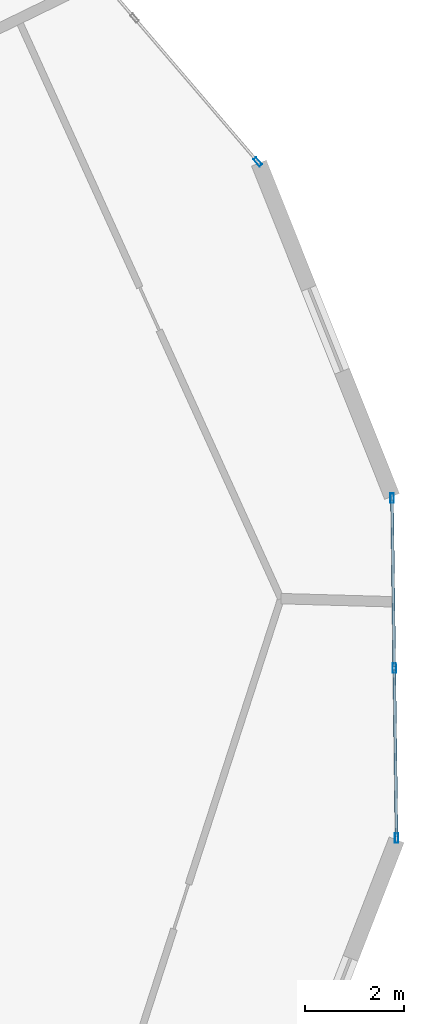
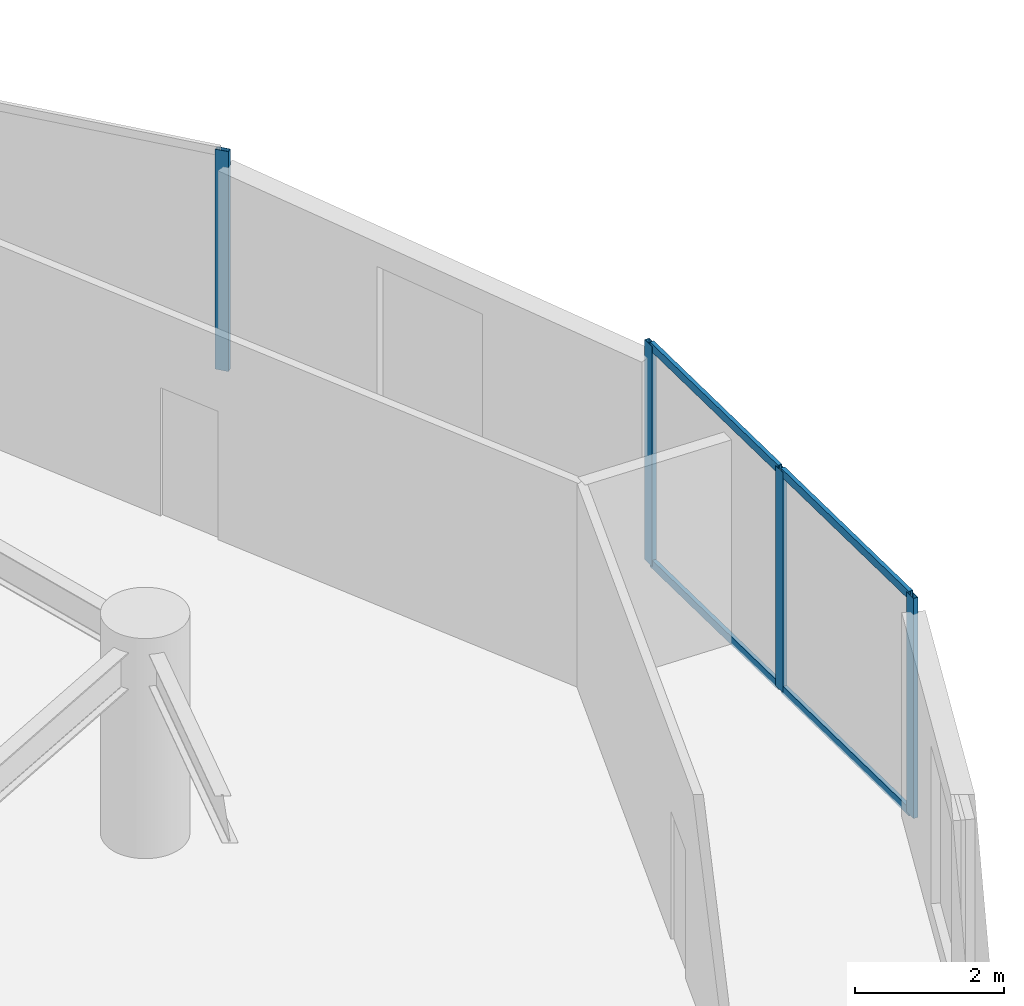
# One storey, part 10 of 23: 8 members, 2 elements without a shape of their own.
"""IFC4 building model written with IfcOpenShell, lengths in metres."""

import ifcopenshell
import ifcopenshell.guid

model = None  # the IFC model being written
_history = None  # IfcOwnerHistory: only IFC2X3 demands one
_inside = {}  # id of a spatial element -> (the spatial element, [elements in it])
_under = {}  # id of a project, library or spatial element -> (it, [spatial elements below it])
_declared = {}  # id of a project -> (the project, [libraries it declares])
_typed = {}  # id of a type object -> (the type object, [elements of that type])
_made_of = {}  # id of a material, layer set ... -> (it, [elements and type objects made of it])


def new_model(schema):
    """Start an empty IFC model of exactly this schema.

    Asked for "IFC4X3", IfcOpenShell would pick the latest addendum, in which some entities
    have other attributes; the version numbers below select the first issue.
    IFC2X3 requires an IfcOwnerHistory on every rooted entity: one is made here for all.
    """
    global model, _history
    if schema == "IFC4X3":
        model = ifcopenshell.file(schema_version=(4, 3, 0, 0))
    else:
        model = ifcopenshell.file(schema=schema)
    _inside.clear()
    _under.clear()
    _declared.clear()
    _typed.clear()
    _made_of.clear()
    _history = None
    if model.schema == "IFC2X3":
        org = make("IfcOrganization", Name="unknown")
        user = make(
            "IfcPersonAndOrganization",
            ThePerson=make("IfcPerson", FamilyName="unknown"),
            TheOrganization=org,
        )
        app = make(
            "IfcApplication",
            ApplicationDeveloper=org,
            Version="unknown",
            ApplicationFullName="unknown",
            ApplicationIdentifier="unknown",
        )
        _history = make(
            "IfcOwnerHistory",
            OwningUser=user,
            OwningApplication=app,
            ChangeAction="ADDED",
            CreationDate=0,
        )
    return model


def make(cls, **values):
    """One entity of the class cls with the attributes given. An attribute that is None is left unset."""
    return model.create_entity(
        cls, **{name: value for name, value in values.items() if value is not None}
    )


def rooted(cls, **values):
    """An entity with a GlobalId (a new one), such as an element, a storey or a relation."""
    return make(cls, GlobalId=ifcopenshell.guid.new(), OwnerHistory=_history, **values)


def si_unit(unit_type, name, prefix=None):
    """IfcSIUnit, for example si_unit("LENGTHUNIT", "METRE", prefix="MILLI")."""
    return make("IfcSIUnit", UnitType=unit_type, Prefix=prefix, Name=name)


def assignment(units):
    """IfcUnitAssignment: the units of a project."""
    return None if units is None else make("IfcUnitAssignment", Units=units)


def point(xyz):
    """IfcCartesianPoint."""
    return None if xyz is None else make("IfcCartesianPoint", Coordinates=xyz)


def direction(xyz):
    """IfcDirection."""
    return None if xyz is None else make("IfcDirection", DirectionRatios=xyz)


def frame(location, z_axis=None, x_axis=None):
    """IfcAxis2Placement3D, a coordinate frame: its origin and axes. An axis left out is left unset."""
    return make(
        "IfcAxis2Placement3D",
        Location=point(location),
        Axis=direction(z_axis),
        RefDirection=direction(x_axis),
    )


def frame_2d(location, x_axis=None):
    """IfcAxis2Placement2D, a coordinate frame in the plane: its origin and x axis."""
    return make(
        "IfcAxis2Placement2D", Location=point(location), RefDirection=direction(x_axis)
    )


def origin():
    """The frame at (0, 0, 0) with its axes left unset."""
    return frame((0.0, 0.0, 0.0))


def origin_2d():
    """The frame at (0, 0) in the plane with its x axis left unset."""
    return frame_2d((0.0, 0.0))


def place(relative_to, where):
    """IfcLocalPlacement: puts the frame where relative to a parent placement (None: the world)."""
    return make(
        "IfcLocalPlacement", PlacementRelTo=relative_to, RelativePlacement=where
    )


def context(
    kind, dimensions, precision=None, world=None, true_north=None, identifier=None
):
    """IfcGeometricRepresentationContext, for example the 3D "Model" context."""
    return make(
        "IfcGeometricRepresentationContext",
        ContextIdentifier=identifier,
        ContextType=kind,
        CoordinateSpaceDimension=dimensions,
        Precision=precision,
        WorldCoordinateSystem=world,
        TrueNorth=true_north,
    )


def subcontext(parent, identifier, kind, view, scale=None):
    """IfcGeometricRepresentationSubContext, for example "Body" below "Model"."""
    return make(
        "IfcGeometricRepresentationSubContext",
        ContextIdentifier=identifier,
        ContextType=kind,
        ParentContext=parent,
        TargetScale=scale,
        TargetView=view,
    )


def project(units=None, contexts=None):
    """IfcProject with its units and contexts."""
    return rooted(
        "IfcProject",
        Name="project",
        RepresentationContexts=contexts,
        UnitsInContext=assignment(units),
    )


def spatial(cls, under=None, at=None, **own):
    """A site, building, storey or space (cls), placed at a placement, below another one or the project."""
    s = rooted(cls, ObjectPlacement=at, **own)
    if under is not None:
        _under.setdefault(under.id(), (under, []))[1].append(s)
    return s


def profile(cls, at=None, kind="AREA", **sizes):
    """A parametric profile (cls). Its sizes go by their IFC names, for example OverallWidth=200.0."""
    return make(cls, ProfileType=kind, Position=at, **sizes)


def hollow_rectangle(**sizes):
    """IfcRectangleHollowProfileDef."""
    return profile("IfcRectangleHollowProfileDef", **sizes)


def extrude(swept, where, along, depth):
    """IfcExtrudedAreaSolid: the profile swept, set in the frame where, extruded along a direction by depth."""
    return make(
        "IfcExtrudedAreaSolid",
        SweptArea=swept,
        Position=where,
        ExtrudedDirection=direction(along),
        Depth=depth,
    )


def shape(context_of_items, identifier, shape_type, items):
    """IfcShapeRepresentation: the items that make up one representation, for example the "Body"."""
    return make(
        "IfcShapeRepresentation",
        ContextOfItems=context_of_items,
        RepresentationIdentifier=identifier,
        RepresentationType=shape_type,
        Items=items,
    )


def source(mapping_origin, context_of_items, identifier, shape_type, items):
    """IfcRepresentationMap: a shape defined once, which mapped items show again and again."""
    return make(
        "IfcRepresentationMap",
        MappingOrigin=mapping_origin,
        MappedRepresentation=shape(context_of_items, identifier, shape_type, items),
    )


def transform(
    local_origin,
    x_axis=None,
    y_axis=None,
    z_axis=None,
    scale=None,
    scale2=None,
    scale3=None,
    uniform=True,
):
    """IfcCartesianTransformationOperator3D, or its non-uniform kind. x_axis, y_axis, z_axis: its Axis1, 2, 3."""
    if uniform:
        return make(
            "IfcCartesianTransformationOperator3D",
            Axis1=direction(x_axis),
            Axis2=direction(y_axis),
            LocalOrigin=point(local_origin),
            Scale=scale,
            Axis3=direction(z_axis),
        )
    return make(
        "IfcCartesianTransformationOperator3DnonUniform",
        Axis1=direction(x_axis),
        Axis2=direction(y_axis),
        LocalOrigin=point(local_origin),
        Scale=scale,
        Axis3=direction(z_axis),
        Scale2=scale2,
        Scale3=scale3,
    )


def mapped(mapping_source, mapping_target):
    """IfcMappedItem: shows the shape of a source again, moved by a transform."""
    return make(
        "IfcMappedItem", MappingSource=mapping_source, MappingTarget=mapping_target
    )


def material(Name=None, Category=None):
    """IfcMaterial."""
    return make("IfcMaterial", Name=Name, Category=Category)


def layer(
    of_material, thickness, ventilated=None, Name=None, Category=None, Priority=None
):
    """IfcMaterialLayer: one layer of a wall or slab, of a material (None: an air gap)."""
    return make(
        "IfcMaterialLayer",
        Material=of_material,
        LayerThickness=thickness,
        IsVentilated=ventilated,
        Name=Name,
        Category=Category,
        Priority=Priority,
    )


def layer_set(layers, Name=None):
    """IfcMaterialLayerSet."""
    return make("IfcMaterialLayerSet", MaterialLayers=layers, LayerSetName=Name)


def material_profile(
    of_material, cross_section, Name=None, Category=None, Priority=None
):
    """IfcMaterialProfile: a cross section and its material."""
    return make(
        "IfcMaterialProfile",
        Name=Name,
        Material=of_material,
        Profile=cross_section,
        Priority=Priority,
        Category=Category,
    )


def profile_set(profiles, Name=None, composite=None):
    """IfcMaterialProfileSet."""
    return make(
        "IfcMaterialProfileSet",
        Name=Name,
        MaterialProfiles=profiles,
        CompositeProfile=composite,
    )


def made_of(thing, what):
    """Note that an element or type object is made of a material, layer set ...; save() writes the relation."""
    if what is not None:
        _made_of.setdefault(what.id(), (what, []))[1].append(thing)
    return thing


def type_object(cls, material=None, **own):
    """A type object (cls), such as IfcWallType, which elements share."""
    return made_of(rooted(cls, **own), material)


def element(
    cls,
    number,
    at=None,
    inside=None,
    cuts=None,
    type_object=None,
    material=None,
    context=None,
    identifier="Body",
    shape_type=None,
    held_by="IfcProductDefinitionShape",
    body=None,
    shapes=None,
    **own,
):
    """One element of the class cls, such as IfcWall. Its Tag is "e" and its number.

    at: its placement. inside: the storey or other place that contains it. cuts: it is an
    opening in that element (IfcRelVoidsElement). A single representation is given by context,
    identifier, shape_type and body (its items); several are given by shapes. held_by: the class
    of the entity that holds the representations. save() writes the other relations.
    """
    e = rooted(cls, Tag="e%d" % number, ObjectPlacement=at, **own)
    if body is not None:
        shapes = [shape(context, identifier, shape_type, body)]
    if shapes is not None:
        e.Representation = make(held_by, Representations=shapes)
    if inside is not None:
        _inside.setdefault(inside.id(), (inside, []))[1].append(e)
    if cuts is not None:
        rooted(
            "IfcRelVoidsElement", RelatingBuildingElement=cuts, RelatedOpeningElement=e
        )
    if type_object is not None:
        _typed.setdefault(type_object.id(), (type_object, []))[1].append(e)
    return made_of(e, material)


def aggregate(whole, parts):
    """IfcRelAggregates: a whole, such as a stair, and the parts it consists of."""
    return rooted("IfcRelAggregates", RelatingObject=whole, RelatedObjects=parts)


def save(model, path):
    """Write the relations noted so far, then the file.

    IfcRelAggregates (storeys below a building ...), IfcRelContainedInSpatialStructure (elements
    in a storey), IfcRelDefinesByType, IfcRelAssociatesMaterial and IfcRelDeclares: one each for
    every whole, place, type object, material and project.
    """
    for whole, parts in _under.values():
        aggregate(whole, parts)
    for where, things in _inside.values():
        rooted(
            "IfcRelContainedInSpatialStructure",
            RelatedElements=things,
            RelatingStructure=where,
        )
    for kind, things in _typed.values():
        rooted("IfcRelDefinesByType", RelatedObjects=things, RelatingType=kind)
    for what, things in _made_of.values():
        rooted("IfcRelAssociatesMaterial", RelatedObjects=things, RelatingMaterial=what)
    for by, libraries in _declared.values():
        rooted("IfcRelDeclares", RelatingContext=by, RelatedDefinitions=libraries)
    model.write(path)


model = new_model("IFC4")

# Units and contexts
model_context = context("Model", 3, precision=1e-05, world=origin(), true_north=direction((0.0, 1.0)))
body_context = subcontext(model_context, "Body", "Model", "MODEL_VIEW")
ifc_project = project(units=[si_unit("LENGTHUNIT", "METRE"), si_unit("AREAUNIT", "SQUARE_METRE"), si_unit("VOLUMEUNIT", "CUBIC_METRE"), si_unit("PLANEANGLEUNIT", "RADIAN"), si_unit("MASSUNIT", "GRAM", prefix="KILO")], contexts=[model_context])

# Site, building, storey
site_placement = place(None, origin())
site = spatial("IfcSite", under=ifc_project, at=site_placement, CompositionType="ELEMENT")
building_placement = place(site_placement, origin())
building = spatial("IfcBuilding", under=site, at=building_placement, Name="Solvirekh Grand Hotel", CompositionType="ELEMENT")
storey_placement = place(building_placement, frame((0.0, 0.0, 46.39990234375)))
storey = spatial("IfcBuildingStorey", under=building, at=storey_placement, Name="L10", CompositionType="ELEMENT", Elevation=46.39990234375)

# Curtain wall, members
ifc_material = material(Name="Anodized Bronze Aluminium 6063-T6", Category="aluminium")
ifc_layer = layer(ifc_material, 0.18994140625)
ifc_layer_set = layer_set([ifc_layer], Name="Anodized Bronze Aluminium 6063-T6")
curtain_wall_type = type_object("IfcCurtainWallType", Name="CW_Sys2_LowZoneFlushBronzeCW", PredefinedType="NOTDEFINED", material=ifc_layer_set)
curtain_wall_1_placement = place(storey_placement, origin())
curtain_wall_1 = element("IfcCurtainWall", 1, at=curtain_wall_1_placement, inside=storey, type_object=curtain_wall_type, Name="L10 unitised bronze-glass curtain wall CW-L10-C01", PredefinedType="NOTDEFINED")
ifc_material_profile_1 = material_profile(ifc_material, hollow_rectangle(XDim=0.070068359375, YDim=0.18994140625, WallThickness=0.0048828125, at=origin_2d()), Name="ALU RHS 190X70X5")
ifc_profile_set_1 = profile_set([ifc_material_profile_1], Name="Anodized Bronze Aluminium 6063-T6")
member_type_1 = type_object("IfcMemberType", Name="CWMullion_Sys2", PredefinedType="MULLION", material=ifc_profile_set_1)
shared_shape_1 = source(origin(), body_context, "Body", "SweptSolid", [
    extrude(hollow_rectangle(XDim=0.070068359375, YDim=0.18994140625, WallThickness=0.0048828125, at=origin_2d()), origin(), (0.0, 0.0, 1.0), 3.60009765625),
])
member_1_placement = place(storey_placement, frame((27.719482421875, -4.764892578125, 0.0), z_axis=(0.0, 0.0, 1.0), x_axis=(-0.99991176343, -0.013284026319, 0.0)))
member_1 = element("IfcMember", 2, at=member_1_placement, type_object=member_type_1, Name="U02 mullion 1", PredefinedType="MULLION", context=body_context, shape_type="MappedRepresentation", body=[
    mapped(shared_shape_1, transform((0.0, 0.0, 0.0), x_axis=(1.0, 0.0, 0.0), y_axis=(0.0, 1.0, 0.0), z_axis=(0.0, 0.0, 1.0), scale=1.0)),
])
member_2_placement = place(storey_placement, frame((27.674072265625, -1.33740234375, 0.0), z_axis=(0.0, 0.0, 1.0), x_axis=(-0.99991176343, -0.013284026319, 0.0)))
member_2 = element("IfcMember", 3, at=member_2_placement, type_object=member_type_1, Name="U02 mullion 2", PredefinedType="MULLION", context=body_context, shape_type="MappedRepresentation", body=[
    mapped(shared_shape_1, transform((0.0, 0.0, 0.0), x_axis=(1.0, 0.0, 0.0), y_axis=(0.0, 1.0, 0.0), z_axis=(0.0, 0.0, 1.0), scale=1.0)),
])
member_3_placement = place(storey_placement, frame((27.62841796875, 2.090087890625, 0.0), z_axis=(0.0, 0.0, 1.0), x_axis=(-0.99991176343, -0.013284026319, 0.0)))
member_3 = element("IfcMember", 4, at=member_3_placement, type_object=member_type_1, Name="U02 mullion 3", PredefinedType="MULLION", context=body_context, shape_type="MappedRepresentation", body=[
    mapped(shared_shape_1, transform((0.0, 0.0, 0.0), x_axis=(1.0, 0.0, 0.0), y_axis=(0.0, 1.0, 0.0), z_axis=(0.0, 0.0, 1.0), scale=1.0)),
])

# Curtain wall, member
curtain_wall_2_placement = place(storey_placement, origin())
curtain_wall_2 = element("IfcCurtainWall", 5, at=curtain_wall_2_placement, inside=storey, type_object=curtain_wall_type, Name="L10 unitised bronze-glass curtain wall CW-L10-C03", PredefinedType="NOTDEFINED")
member_4_placement = place(storey_placement, frame((24.921142578125, 8.86865234375, 0.0), z_axis=(0.0, 0.0, 1.0), x_axis=(-0.75944894298, -0.650566908939, 0.0)))
member_4 = element("IfcMember", 6, at=member_4_placement, type_object=member_type_1, Name="U02 mullion 1", PredefinedType="MULLION", context=body_context, shape_type="MappedRepresentation", body=[
    mapped(shared_shape_1, transform((0.0, 0.0, 0.0), x_axis=(1.0, 0.0, 0.0), y_axis=(0.0, 1.0, 0.0), z_axis=(0.0, 0.0, 1.0), scale=1.0)),
])
aggregate(curtain_wall_2, [member_4])

# Member
ifc_material_profile_2 = material_profile(ifc_material, hollow_rectangle(XDim=0.06005859375, YDim=0.135009765625, WallThickness=0.00390625, at=origin_2d()), Name="ALU RHS 135X60X4")
ifc_profile_set_2 = profile_set([ifc_material_profile_2], Name="Anodized Bronze Aluminium 6063-T6")
member_type_2 = type_object("IfcMemberType", Name="CWTransom_Sys2", PredefinedType="USERDEFINED", material=ifc_profile_set_2)
shared_shape_2 = source(origin(), body_context, "Body", "SweptSolid", [
    extrude(hollow_rectangle(XDim=0.06005859375, YDim=0.135009765625, WallThickness=0.00390625, at=origin_2d()), origin(), (0.0, 0.0, 1.0), 3.357666015625),
])
member_5_placement = place(storey_placement, frame((27.718994140625, -4.72998046875, 0.030029296875), z_axis=(-0.013233279771, 0.99991243632, 0.0), x_axis=(-0.99991243632, -0.013233279771, 0.0)))
member_5 = element("IfcMember", 7, at=member_5_placement, type_object=member_type_2, Name="U02 transom 1.1", ObjectType="TRANSOM", PredefinedType="USERDEFINED", context=body_context, shape_type="MappedRepresentation", body=[
    mapped(shared_shape_2, transform((0.0, 0.0, 0.0), x_axis=(1.0, 0.0, 0.0), y_axis=(0.0, 1.0, 0.0), z_axis=(0.0, 0.0, 1.0), scale=1.0)),
])

member_6_placement = place(storey_placement, frame((27.718994140625, -4.72998046875, 3.570068359375), z_axis=(-0.013233279771, 0.99991243632, 0.0), x_axis=(-0.99991243632, -0.013233279771, 0.0)))
member_6 = element("IfcMember", 8, at=member_6_placement, type_object=member_type_2, Name="U02 transom 1.2", ObjectType="TRANSOM", PredefinedType="USERDEFINED", context=body_context, shape_type="MappedRepresentation", body=[
    mapped(shared_shape_2, transform((0.0, 0.0, 0.0), x_axis=(1.0, 0.0, 0.0), y_axis=(0.0, 1.0, 0.0), z_axis=(0.0, 0.0, 1.0), scale=1.0)),
])

member_7_placement = place(storey_placement, frame((27.673583984375, -1.302490234375, 0.030029296875), z_axis=(-0.013305977261, 0.999911471566, 0.0), x_axis=(-0.999911471566, -0.013305977261, 0.0)))
member_7 = element("IfcMember", 9, at=member_7_placement, type_object=member_type_2, Name="U02 transom 2.1", ObjectType="TRANSOM", PredefinedType="USERDEFINED", context=body_context, shape_type="MappedRepresentation", body=[
    mapped(shared_shape_2, transform((0.0, 0.0, 0.0), x_axis=(1.0, 0.0, 0.0), y_axis=(0.0, 1.0, 0.0), z_axis=(0.0, 0.0, 1.0), scale=1.0)),
])

member_8_placement = place(storey_placement, frame((27.673583984375, -1.302490234375, 3.570068359375), z_axis=(-0.013305977261, 0.999911471566, 0.0), x_axis=(-0.999911471566, -0.013305977261, 0.0)))
member_8 = element("IfcMember", 10, at=member_8_placement, type_object=member_type_2, Name="U02 transom 2.2", ObjectType="TRANSOM", PredefinedType="USERDEFINED", context=body_context, shape_type="MappedRepresentation", body=[
    mapped(shared_shape_2, transform((0.0, 0.0, 0.0), x_axis=(1.0, 0.0, 0.0), y_axis=(0.0, 1.0, 0.0), z_axis=(0.0, 0.0, 1.0), scale=1.0)),
])

aggregate(curtain_wall_1, [member_1, member_2, member_3, member_5, member_6, member_7, member_8])

save(model, "model.ifc")
